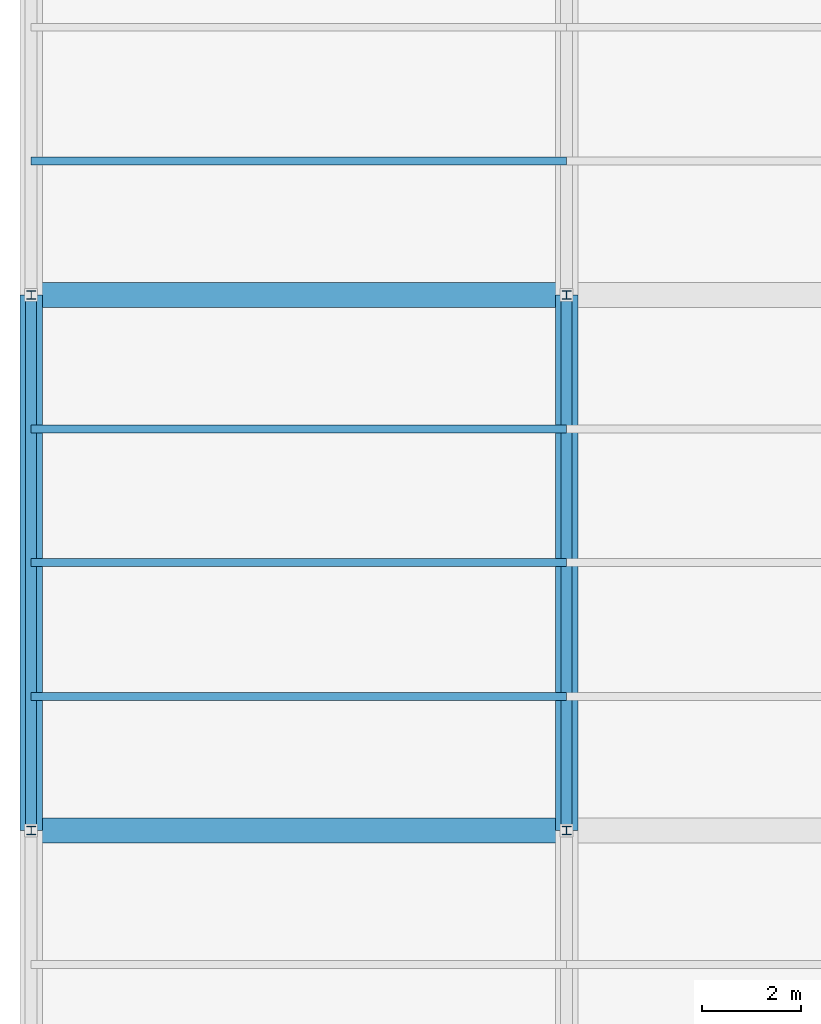
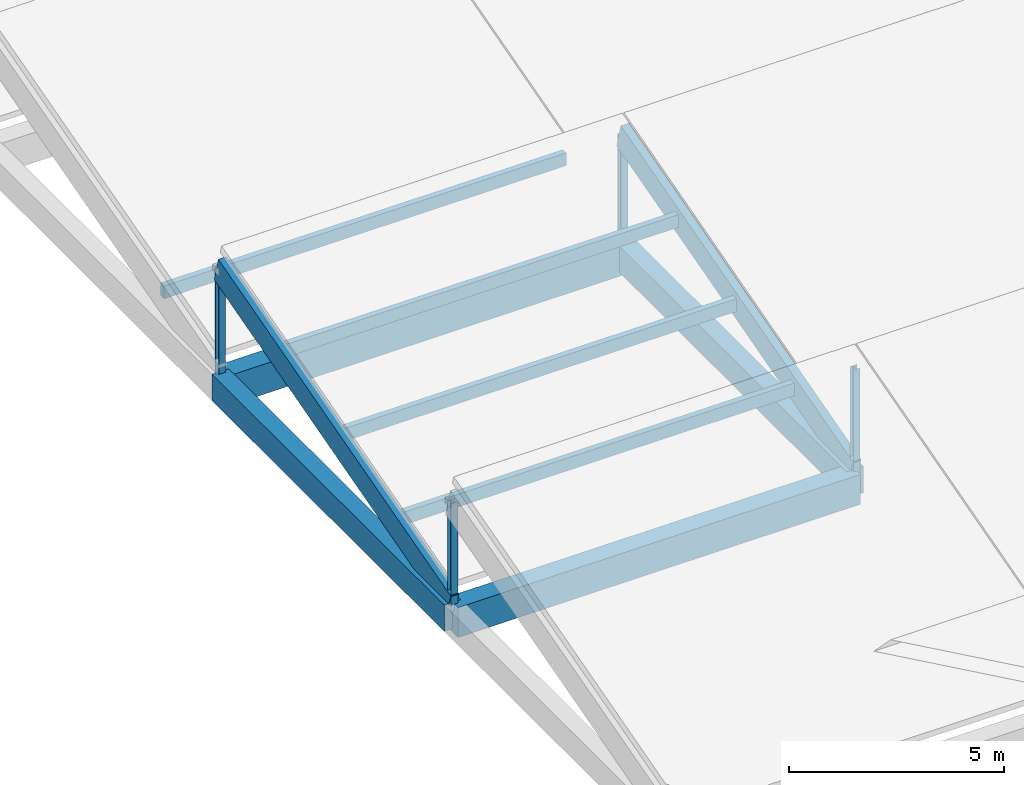
# One storey, part 9 of 112: 10 members, 4 beams.
"""IFC4 building model written with IfcOpenShell, lengths in metres."""

from ifc_helpers import new_model, si_unit, direction, frame, origin, origin_2d, place, context, subcontext, project, spatial, rectangle, i_section, extrude, material, material_profile, profile_set, type_object, element, save


model = new_model("IFC4")

# Units and contexts
model_context = context("Model", 3, precision=1e-05, world=origin(), true_north=direction((0.0, 1.0)))
body_context = subcontext(model_context, "Body", "Model", "MODEL_VIEW")
ifc_project = project(units=[si_unit("LENGTHUNIT", "METRE"), si_unit("AREAUNIT", "SQUARE_METRE"), si_unit("VOLUMEUNIT", "CUBIC_METRE"), si_unit("PLANEANGLEUNIT", "RADIAN"), si_unit("MASSUNIT", "GRAM", prefix="KILO")], contexts=[model_context])

# Site, building, storey
site_placement = place(None, origin())
site = spatial("IfcSite", under=ifc_project, at=site_placement, CompositionType="ELEMENT")
building_placement = place(site_placement, origin())
building = spatial("IfcBuilding", under=site, at=building_placement, Name="Zwinboog Wholesale Market", CompositionType="ELEMENT")
storey_placement = place(building_placement, frame((0.0, 0.0, 19.080078125)))
storey = spatial("IfcBuildingStorey", under=building, at=storey_placement, Name="Roof", CompositionType="ELEMENT", Elevation=19.080078125)

# Beams
ifc_material_1 = material(Name="Precast concrete C45/55", Category="concrete")
ifc_material_profile_1 = material_profile(ifc_material_1, rectangle(XDim=0.5, YDim=0.85009765625, at=origin_2d()), Name="PC 500x850")
ifc_profile_set_1 = profile_set([ifc_material_profile_1], Name="Precast concrete C45/55")
beam_type_1 = type_object("IfcBeamType", Name="BT-03", PredefinedType="BEAM", material=ifc_profile_set_1)
for number, where, z_axis, x_axis, name in (
    (1, (0.0, 32.39990234375, -9.425048828125), (1.0, 0.0, 0.0), (0.0, 1.0, 0.0), "BG-03 (BMG-Roof-0000-0324-1159)"),
    (2, (0.0, 43.199951171875, -9.425048828125), (1.0, 0.0, 0.0), (0.0, 1.0, 0.0), "BG-03 (BMG-Roof-0000-0432-1163)"),
):
    element("IfcBeam", number, at=place(storey_placement, frame(where, z_axis=z_axis, x_axis=x_axis)), inside=storey, type_object=beam_type_1, Name=name, PredefinedType="BEAM", context=body_context, shape_type="SweptSolid", body=[
        extrude(rectangle(XDim=0.5, YDim=0.85009765625, at=origin_2d()), origin(), (0.0, 0.0, 1.0), 10.800048828125),
    ])
ifc_material_profile_2 = material_profile(ifc_material_1, rectangle(XDim=0.449951171875, YDim=0.75, at=origin_2d()), Name="PC 450x750")
ifc_profile_set_2 = profile_set([ifc_material_profile_2], Name="Precast concrete C45/55")
beam_type_2 = type_object("IfcBeamType", Name="BT-04", PredefinedType="BEAM", material=ifc_profile_set_2)
for number, where, z_axis, x_axis, name in (
    (3, (0.0, 32.39990234375, -9.375), (0.0, 1.0, 0.0), (-1.0, 0.0, 0.0), "BG-04 (BMG-Roof-0000-0324-1204)"),
    (4, (10.800048828125, 32.39990234375, -9.375), (0.0, 1.0, 0.0), (-1.0, 0.0, 0.0), "BG-04 (BMG-Roof-0108-0324-1214)"),
):
    element("IfcBeam", number, at=place(storey_placement, frame(where, z_axis=z_axis, x_axis=x_axis)), inside=storey, type_object=beam_type_2, Name=name, PredefinedType="BEAM", context=body_context, shape_type="SweptSolid", body=[
        extrude(rectangle(XDim=0.449951171875, YDim=0.75, at=origin_2d()), origin(), (0.0, 0.0, 1.0), 10.800048828125),
    ])

# Members
ifc_material_2 = material(Name="Steel S355", Category="steel")
ifc_material_profile_3 = material_profile(ifc_material_2, i_section(OverallWidth=0.179931640625, OverallDepth=0.1708984375, WebThickness=0.006103515625, FlangeThickness=0.009521484375, FilletRadius=0.014892578125, at=origin_2d()), Name="HEA 180")
ifc_profile_set_3 = profile_set([ifc_material_profile_3], Name="Steel S355")
member_type_1 = type_object("IfcMemberType", Name="MT-07", PredefinedType="BRACE", material=ifc_profile_set_3)
member_1_placement = place(storey_placement, frame((0.0, 32.39990234375, -9.2001953125), z_axis=(0.0, 0.0, 1.0), x_axis=(1.0, 0.0, 0.0)))
element("IfcMember", 5, at=member_1_placement, inside=storey, type_object=member_type_1, Name="DB-04 (MEM-Roof-0702)", PredefinedType="BRACE", context=body_context, shape_type="SweptSolid", body=[
    extrude(i_section(OverallWidth=0.179931640625, OverallDepth=0.1708984375, WebThickness=0.006103515625, FlangeThickness=0.009521484375, FilletRadius=0.014892578125, at=origin_2d()), origin(), (0.0, 0.0, 1.0), 3.074462890625),
])
member_2_placement = place(storey_placement, frame((10.800048828125, 32.39990234375, -9.2001953125), z_axis=(0.0, 0.0, 1.0), x_axis=(1.0, 0.0, 0.0)))
element("IfcMember", 6, at=member_2_placement, inside=storey, type_object=member_type_1, Name="DB-04 (MEM-Roof-0706)", PredefinedType="BRACE", context=body_context, shape_type="SweptSolid", body=[
    extrude(i_section(OverallWidth=0.179931640625, OverallDepth=0.1708984375, WebThickness=0.006103515625, FlangeThickness=0.009521484375, FilletRadius=0.014892578125, at=origin_2d()), origin(), (0.0, 0.0, 1.0), 3.0869140625),
])
member_3_placement = place(storey_placement, frame((0.0, 43.199951171875, -9.2001953125), z_axis=(0.0, 0.0, 1.0), x_axis=(1.0, 0.0, 0.0)))
element("IfcMember", 7, at=member_3_placement, inside=storey, type_object=member_type_1, Name="DB-04 (MEM-Roof-0720)", PredefinedType="BRACE", context=body_context, shape_type="SweptSolid", body=[
    extrude(i_section(OverallWidth=0.179931640625, OverallDepth=0.1708984375, WebThickness=0.006103515625, FlangeThickness=0.009521484375, FilletRadius=0.014892578125, at=origin_2d()), origin(), (0.0, 0.0, 1.0), 3.134521484375),
])
member_4_placement = place(storey_placement, frame((10.800048828125, 43.199951171875, -9.2001953125), z_axis=(0.0, 0.0, 1.0), x_axis=(1.0, 0.0, 0.0)))
element("IfcMember", 8, at=member_4_placement, inside=storey, type_object=member_type_1, Name="DB-04 (MEM-Roof-0724)", PredefinedType="BRACE", context=body_context, shape_type="SweptSolid", body=[
    extrude(i_section(OverallWidth=0.179931640625, OverallDepth=0.1708984375, WebThickness=0.006103515625, FlangeThickness=0.009521484375, FilletRadius=0.014892578125, at=origin_2d()), origin(), (0.0, 0.0, 1.0), 3.14697265625),
])
ifc_material_3 = material(Name="Glulam GL28h", Category="wood")
ifc_material_profile_4 = material_profile(ifc_material_3, rectangle(XDim=0.219970703125, YDim=0.719970703125, at=origin_2d()), Name="GL28h 220x720")
ifc_profile_set_4 = profile_set([ifc_material_profile_4], Name="Glulam GL28h")
member_type_2 = type_object("IfcMemberType", Name="MT-10", PredefinedType="RAFTER", material=ifc_profile_set_4)
for number, where, z_axis, x_axis, name in (
    (9, (0.0, 32.39990234375, -9.065673828125), (0.0, 0.963518221675, 0.26764274042), (-1.0, 0.0, 0.0), "GR-02 (MEM-Roof-0721)"),
    (10, (10.800048828125, 32.39990234375, -9.05322265625), (0.0, 0.963518221675, 0.26764274042), (-1.0, 0.0, 0.0), "GR-02 (MEM-Roof-0725)"),
):
    element("IfcMember", number, at=place(storey_placement, frame(where, z_axis=z_axis, x_axis=x_axis)), inside=storey, type_object=member_type_2, Name=name, PredefinedType="RAFTER", context=body_context, shape_type="SweptSolid", body=[
        extrude(rectangle(XDim=0.219970703125, YDim=0.719970703125, at=origin_2d()), origin(), (0.0, 0.0, 1.0), 11.208984375),
    ])
ifc_material_profile_5 = material_profile(ifc_material_3, rectangle(XDim=0.159912109375, YDim=0.360107421875, at=origin_2d()), Name="GL28h 160x360")
ifc_profile_set_5 = profile_set([ifc_material_profile_5], Name="Glulam GL28h")
member_type_3 = type_object("IfcMemberType", Name="MT-12", PredefinedType="PURLIN", material=ifc_profile_set_5)
for number, where, z_axis, x_axis, name in (
    (11, (0.0, 35.10009765625, -8.285888671875), (1.0, 0.0, 0.0), (0.0, 1.0, 0.0), "GP-01 (MEM-Roof-0722)"),
    (12, (0.0, 40.5, -6.785888671875), (1.0, 0.0, 0.0), (0.0, 1.0, 0.0), "GP-01 (MEM-Roof-0723)"),
    (13, (0.0, 45.89990234375, -8.345703125), (1.0, 0.0, 0.0), (0.0, 1.0, 0.0), "GP-01 (MEM-Roof-0740)"),
    (14, (0.0, 37.800048828125, -7.535888671875), (1.0, 0.0, 0.0), (0.0, 1.0, 0.0), "GP-01 (MEM-PRL-Roof-0013)"),
):
    element("IfcMember", number, at=place(storey_placement, frame(where, z_axis=z_axis, x_axis=x_axis)), inside=storey, type_object=member_type_3, Name=name, PredefinedType="PURLIN", context=body_context, shape_type="SweptSolid", body=[
        extrude(rectangle(XDim=0.159912109375, YDim=0.360107421875, at=origin_2d()), origin(), (0.0, 0.0, 1.0), 10.800048828125),
    ])

save(model, "model.ifc")
